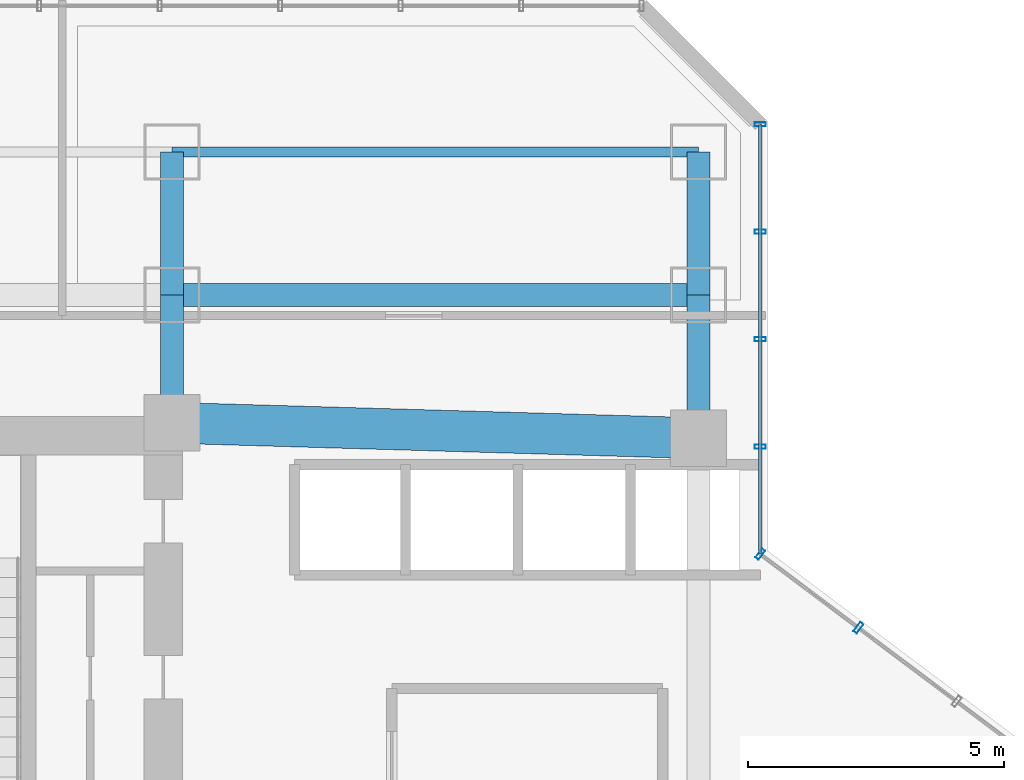
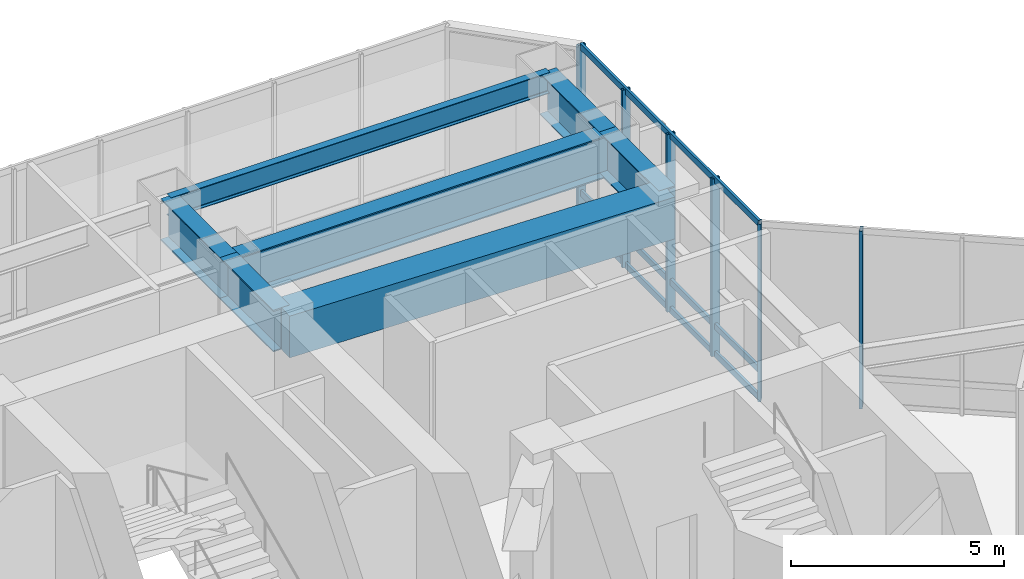
# One storey, part 20 of 35: 9 members, 7 beams, 2 elements without a shape of their own.
"""IFC4 building model written with IfcOpenShell, lengths in metres."""

import ifcopenshell
import ifcopenshell.guid

model = None  # the IFC model being written
_history = None  # IfcOwnerHistory: only IFC2X3 demands one
_inside = {}  # id of a spatial element -> (the spatial element, [elements in it])
_under = {}  # id of a project, library or spatial element -> (it, [spatial elements below it])
_declared = {}  # id of a project -> (the project, [libraries it declares])
_typed = {}  # id of a type object -> (the type object, [elements of that type])
_made_of = {}  # id of a material, layer set ... -> (it, [elements and type objects made of it])


def new_model(schema):
    """Start an empty IFC model of exactly this schema.

    Asked for "IFC4X3", IfcOpenShell would pick the latest addendum, in which some entities
    have other attributes; the version numbers below select the first issue.
    IFC2X3 requires an IfcOwnerHistory on every rooted entity: one is made here for all.
    """
    global model, _history
    if schema == "IFC4X3":
        model = ifcopenshell.file(schema_version=(4, 3, 0, 0))
    else:
        model = ifcopenshell.file(schema=schema)
    _inside.clear()
    _under.clear()
    _declared.clear()
    _typed.clear()
    _made_of.clear()
    _history = None
    if model.schema == "IFC2X3":
        org = make("IfcOrganization", Name="unknown")
        user = make(
            "IfcPersonAndOrganization",
            ThePerson=make("IfcPerson", FamilyName="unknown"),
            TheOrganization=org,
        )
        app = make(
            "IfcApplication",
            ApplicationDeveloper=org,
            Version="unknown",
            ApplicationFullName="unknown",
            ApplicationIdentifier="unknown",
        )
        _history = make(
            "IfcOwnerHistory",
            OwningUser=user,
            OwningApplication=app,
            ChangeAction="ADDED",
            CreationDate=0,
        )
    return model


def make(cls, **values):
    """One entity of the class cls with the attributes given. An attribute that is None is left unset."""
    return model.create_entity(
        cls, **{name: value for name, value in values.items() if value is not None}
    )


def rooted(cls, **values):
    """An entity with a GlobalId (a new one), such as an element, a storey or a relation."""
    return make(cls, GlobalId=ifcopenshell.guid.new(), OwnerHistory=_history, **values)


def si_unit(unit_type, name, prefix=None):
    """IfcSIUnit, for example si_unit("LENGTHUNIT", "METRE", prefix="MILLI")."""
    return make("IfcSIUnit", UnitType=unit_type, Prefix=prefix, Name=name)


def assignment(units):
    """IfcUnitAssignment: the units of a project."""
    return None if units is None else make("IfcUnitAssignment", Units=units)


def point(xyz):
    """IfcCartesianPoint."""
    return None if xyz is None else make("IfcCartesianPoint", Coordinates=xyz)


def direction(xyz):
    """IfcDirection."""
    return None if xyz is None else make("IfcDirection", DirectionRatios=xyz)


def frame(location, z_axis=None, x_axis=None):
    """IfcAxis2Placement3D, a coordinate frame: its origin and axes. An axis left out is left unset."""
    return make(
        "IfcAxis2Placement3D",
        Location=point(location),
        Axis=direction(z_axis),
        RefDirection=direction(x_axis),
    )


def frame_2d(location, x_axis=None):
    """IfcAxis2Placement2D, a coordinate frame in the plane: its origin and x axis."""
    return make(
        "IfcAxis2Placement2D", Location=point(location), RefDirection=direction(x_axis)
    )


def origin():
    """The frame at (0, 0, 0) with its axes left unset."""
    return frame((0.0, 0.0, 0.0))


def origin_2d():
    """The frame at (0, 0) in the plane with its x axis left unset."""
    return frame_2d((0.0, 0.0))


def place(relative_to, where):
    """IfcLocalPlacement: puts the frame where relative to a parent placement (None: the world)."""
    return make(
        "IfcLocalPlacement", PlacementRelTo=relative_to, RelativePlacement=where
    )


def context(
    kind, dimensions, precision=None, world=None, true_north=None, identifier=None
):
    """IfcGeometricRepresentationContext, for example the 3D "Model" context."""
    return make(
        "IfcGeometricRepresentationContext",
        ContextIdentifier=identifier,
        ContextType=kind,
        CoordinateSpaceDimension=dimensions,
        Precision=precision,
        WorldCoordinateSystem=world,
        TrueNorth=true_north,
    )


def subcontext(parent, identifier, kind, view, scale=None):
    """IfcGeometricRepresentationSubContext, for example "Body" below "Model"."""
    return make(
        "IfcGeometricRepresentationSubContext",
        ContextIdentifier=identifier,
        ContextType=kind,
        ParentContext=parent,
        TargetScale=scale,
        TargetView=view,
    )


def project(units=None, contexts=None):
    """IfcProject with its units and contexts."""
    return rooted(
        "IfcProject",
        Name="project",
        RepresentationContexts=contexts,
        UnitsInContext=assignment(units),
    )


def spatial(cls, under=None, at=None, **own):
    """A site, building, storey or space (cls), placed at a placement, below another one or the project."""
    s = rooted(cls, ObjectPlacement=at, **own)
    if under is not None:
        _under.setdefault(under.id(), (under, []))[1].append(s)
    return s


def profile(cls, at=None, kind="AREA", **sizes):
    """A parametric profile (cls). Its sizes go by their IFC names, for example OverallWidth=200.0."""
    return make(cls, ProfileType=kind, Position=at, **sizes)


def rectangle(**sizes):
    """IfcRectangleProfileDef."""
    return profile("IfcRectangleProfileDef", **sizes)


def hollow_rectangle(**sizes):
    """IfcRectangleHollowProfileDef."""
    return profile("IfcRectangleHollowProfileDef", **sizes)


def i_section(**sizes):
    """IfcIShapeProfileDef."""
    return profile("IfcIShapeProfileDef", **sizes)


def extrude(swept, where, along, depth):
    """IfcExtrudedAreaSolid: the profile swept, set in the frame where, extruded along a direction by depth."""
    return make(
        "IfcExtrudedAreaSolid",
        SweptArea=swept,
        Position=where,
        ExtrudedDirection=direction(along),
        Depth=depth,
    )


def shape(context_of_items, identifier, shape_type, items):
    """IfcShapeRepresentation: the items that make up one representation, for example the "Body"."""
    return make(
        "IfcShapeRepresentation",
        ContextOfItems=context_of_items,
        RepresentationIdentifier=identifier,
        RepresentationType=shape_type,
        Items=items,
    )


def material(Name=None, Category=None):
    """IfcMaterial."""
    return make("IfcMaterial", Name=Name, Category=Category)


def layer(
    of_material, thickness, ventilated=None, Name=None, Category=None, Priority=None
):
    """IfcMaterialLayer: one layer of a wall or slab, of a material (None: an air gap)."""
    return make(
        "IfcMaterialLayer",
        Material=of_material,
        LayerThickness=thickness,
        IsVentilated=ventilated,
        Name=Name,
        Category=Category,
        Priority=Priority,
    )


def layer_set(layers, Name=None):
    """IfcMaterialLayerSet."""
    return make("IfcMaterialLayerSet", MaterialLayers=layers, LayerSetName=Name)


def material_profile(
    of_material, cross_section, Name=None, Category=None, Priority=None
):
    """IfcMaterialProfile: a cross section and its material."""
    return make(
        "IfcMaterialProfile",
        Name=Name,
        Material=of_material,
        Profile=cross_section,
        Priority=Priority,
        Category=Category,
    )


def profile_set(profiles, Name=None, composite=None):
    """IfcMaterialProfileSet."""
    return make(
        "IfcMaterialProfileSet",
        Name=Name,
        MaterialProfiles=profiles,
        CompositeProfile=composite,
    )


def made_of(thing, what):
    """Note that an element or type object is made of a material, layer set ...; save() writes the relation."""
    if what is not None:
        _made_of.setdefault(what.id(), (what, []))[1].append(thing)
    return thing


def type_object(cls, material=None, **own):
    """A type object (cls), such as IfcWallType, which elements share."""
    return made_of(rooted(cls, **own), material)


def element(
    cls,
    number,
    at=None,
    inside=None,
    cuts=None,
    type_object=None,
    material=None,
    context=None,
    identifier="Body",
    shape_type=None,
    held_by="IfcProductDefinitionShape",
    body=None,
    shapes=None,
    **own,
):
    """One element of the class cls, such as IfcWall. Its Tag is "e" and its number.

    at: its placement. inside: the storey or other place that contains it. cuts: it is an
    opening in that element (IfcRelVoidsElement). A single representation is given by context,
    identifier, shape_type and body (its items); several are given by shapes. held_by: the class
    of the entity that holds the representations. save() writes the other relations.
    """
    e = rooted(cls, Tag="e%d" % number, ObjectPlacement=at, **own)
    if body is not None:
        shapes = [shape(context, identifier, shape_type, body)]
    if shapes is not None:
        e.Representation = make(held_by, Representations=shapes)
    if inside is not None:
        _inside.setdefault(inside.id(), (inside, []))[1].append(e)
    if cuts is not None:
        rooted(
            "IfcRelVoidsElement", RelatingBuildingElement=cuts, RelatedOpeningElement=e
        )
    if type_object is not None:
        _typed.setdefault(type_object.id(), (type_object, []))[1].append(e)
    return made_of(e, material)


def aggregate(whole, parts):
    """IfcRelAggregates: a whole, such as a stair, and the parts it consists of."""
    return rooted("IfcRelAggregates", RelatingObject=whole, RelatedObjects=parts)


def save(model, path):
    """Write the relations noted so far, then the file.

    IfcRelAggregates (storeys below a building ...), IfcRelContainedInSpatialStructure (elements
    in a storey), IfcRelDefinesByType, IfcRelAssociatesMaterial and IfcRelDeclares: one each for
    every whole, place, type object, material and project.
    """
    for whole, parts in _under.values():
        aggregate(whole, parts)
    for where, things in _inside.values():
        rooted(
            "IfcRelContainedInSpatialStructure",
            RelatedElements=things,
            RelatingStructure=where,
        )
    for kind, things in _typed.values():
        rooted("IfcRelDefinesByType", RelatedObjects=things, RelatingType=kind)
    for what, things in _made_of.values():
        rooted("IfcRelAssociatesMaterial", RelatedObjects=things, RelatingMaterial=what)
    for by, libraries in _declared.values():
        rooted("IfcRelDeclares", RelatingContext=by, RelatedDefinitions=libraries)
    model.write(path)


model = new_model("IFC4")

# Units and contexts
model_context = context("Model", 3, precision=1e-05, world=origin(), true_north=direction((0.0, 1.0)))
body_context = subcontext(model_context, "Body", "Model", "MODEL_VIEW")
ifc_project = project(units=[si_unit("LENGTHUNIT", "METRE"), si_unit("AREAUNIT", "SQUARE_METRE"), si_unit("VOLUMEUNIT", "CUBIC_METRE"), si_unit("PLANEANGLEUNIT", "RADIAN"), si_unit("MASSUNIT", "GRAM", prefix="KILO")], contexts=[model_context])

# Site, building, storey
site_placement = place(None, origin())
site = spatial("IfcSite", under=ifc_project, at=site_placement, CompositionType="ELEMENT")
building_placement = place(site_placement, origin())
building = spatial("IfcBuilding", under=site, at=building_placement, Name="Hatsunagi Terrace Concourse", CompositionType="ELEMENT")
storey_placement = place(building_placement, frame((0.0, 0.0, 16.199951171875)))
storey = spatial("IfcBuildingStorey", under=building, at=storey_placement, Name="L04", CompositionType="ELEMENT", Elevation=16.199951171875)

# Beam
ifc_material_1 = material(Name="Concrete Fc60", Category="concrete")
ifc_material_profile_1 = material_profile(ifc_material_1, rectangle(XDim=0.800048828125, YDim=1.199951171875, at=origin_2d()), Name="RC-800x1200")
ifc_profile_set_1 = profile_set([ifc_material_profile_1], Name="Concrete Fc60")
beam_type_1 = type_object("IfcBeamType", Name="CoreCouplingBeam_RC_800x1200", PredefinedType="BEAM", material=ifc_profile_set_1)
beam_1_placement = place(storey_placement, frame((33.35009765625, 43.300048828125, 4.5), z_axis=(0.999575947545, -0.029119153303, 0.0), x_axis=(0.029119153303, 0.999575947545, 0.0)))
element("IfcBeam", 1, at=beam_1_placement, inside=storey, type_object=beam_type_1, Name="Beam CB-01 CB-L04-2", PredefinedType="BEAM", context=body_context, shape_type="SweptSolid", body=[
    extrude(rectangle(XDim=0.800048828125, YDim=1.199951171875, at=origin_2d()), origin(), (0.0, 0.0, 1.0), 10.30419921875),
])

# Curtain wall, members
ifc_material_2 = material(Name="Anodised Aluminium Alloy 6063-T5", Category="aluminium")
ifc_layer = layer(ifc_material_2, 0.199951171875)
ifc_layer_set = layer_set([ifc_layer], Name="PodiumStorefront_CW01")
curtain_wall_type = type_object("IfcCurtainWallType", Name="PodiumStorefront_CW01", PredefinedType="NOTDEFINED", material=ifc_layer_set)
curtain_wall_1_placement = place(storey_placement, origin())
curtain_wall_1 = element("IfcCurtainWall", 2, at=curtain_wall_1_placement, inside=storey, type_object=curtain_wall_type, Name="Unitised Curtain Wall CW-01 CW-L04-01", PredefinedType="NOTDEFINED")
ifc_material_3 = material(Name="Anodised Aluminium Alloy 6063-T5", Category="aluminium")
ifc_material_profile_2 = material_profile(ifc_material_3, hollow_rectangle(XDim=0.080078125, YDim=0.219970703125, WallThickness=0.0048828125, at=origin_2d()), Name="ALU-MUL-220x80x5")
ifc_profile_set_2 = profile_set([ifc_material_profile_2], Name="Anodised Aluminium Alloy 6063-T5")
member_type_1 = type_object("IfcMemberType", Name="CurtainWallMullion_Heavy_220x80", PredefinedType="MULLION", material=ifc_profile_set_2)
member_1_placement = place(storey_placement, frame((44.860107421875, 40.72998046875, 0.0), z_axis=(0.0, 0.0, 1.0), x_axis=(0.800007305671, -0.599990258982, 0.0)))
member_1 = element("IfcMember", 3, at=member_1_placement, type_object=member_type_1, Name="Curtain Wall Mullion MUL-01", PredefinedType="MULLION", context=body_context, shape_type="SweptSolid", body=[
    extrude(hollow_rectangle(XDim=0.080078125, YDim=0.219970703125, WallThickness=0.0048828125, at=origin_2d()), origin(), (0.0, 0.0, 1.0), 5.10009765625),
])
member_2_placement = place(storey_placement, frame((46.781005859375, 39.2890625, 0.0), z_axis=(0.0, 0.0, 1.0), x_axis=(0.800007305671, -0.599990258982, 0.0)))
member_2 = element("IfcMember", 4, at=member_2_placement, type_object=member_type_1, Name="Curtain Wall Mullion MUL-01", PredefinedType="MULLION", context=body_context, shape_type="SweptSolid", body=[
    extrude(hollow_rectangle(XDim=0.080078125, YDim=0.219970703125, WallThickness=0.0048828125, at=origin_2d()), origin(), (0.0, 0.0, 1.0), 5.10009765625),
])
aggregate(curtain_wall_1, [member_1, member_2])

curtain_wall_2_placement = place(storey_placement, origin())
curtain_wall_2 = element("IfcCurtainWall", 5, at=curtain_wall_2_placement, inside=storey, type_object=curtain_wall_type, Name="Unitised Curtain Wall CW-01 CW-L04-14", PredefinedType="NOTDEFINED")
member_3_placement = place(storey_placement, frame((44.860107421875, 49.14208984375, 0.0), z_axis=(0.0, 0.0, 1.0), x_axis=(0.0, -1.0, 0.0)))
member_3 = element("IfcMember", 6, at=member_3_placement, type_object=member_type_1, Name="Curtain Wall Mullion MUL-01", PredefinedType="MULLION", context=body_context, shape_type="SweptSolid", body=[
    extrude(hollow_rectangle(XDim=0.080078125, YDim=0.219970703125, WallThickness=0.0048828125, at=origin_2d()), origin(), (0.0, 0.0, 1.0), 5.10009765625),
])
member_4_placement = place(storey_placement, frame((44.860107421875, 47.0390625, 0.0), z_axis=(0.0, 0.0, 1.0), x_axis=(0.0, -1.0, 0.0)))
member_4 = element("IfcMember", 7, at=member_4_placement, type_object=member_type_1, Name="Curtain Wall Mullion MUL-01", PredefinedType="MULLION", context=body_context, shape_type="SweptSolid", body=[
    extrude(hollow_rectangle(XDim=0.080078125, YDim=0.219970703125, WallThickness=0.0048828125, at=origin_2d()), origin(), (0.0, 0.0, 1.0), 5.10009765625),
])
member_5_placement = place(storey_placement, frame((44.860107421875, 44.93603515625, 0.0), z_axis=(0.0, 0.0, 1.0), x_axis=(0.0, -1.0, 0.0)))
member_5 = element("IfcMember", 8, at=member_5_placement, type_object=member_type_1, Name="Curtain Wall Mullion MUL-01", PredefinedType="MULLION", context=body_context, shape_type="SweptSolid", body=[
    extrude(hollow_rectangle(XDim=0.080078125, YDim=0.219970703125, WallThickness=0.0048828125, at=origin_2d()), origin(), (0.0, 0.0, 1.0), 5.10009765625),
])
member_6_placement = place(storey_placement, frame((44.860107421875, 42.8330078125, 0.0), z_axis=(0.0, 0.0, 1.0), x_axis=(0.0, -1.0, 0.0)))
member_6 = element("IfcMember", 9, at=member_6_placement, type_object=member_type_1, Name="Curtain Wall Mullion MUL-01", PredefinedType="MULLION", context=body_context, shape_type="SweptSolid", body=[
    extrude(hollow_rectangle(XDim=0.080078125, YDim=0.219970703125, WallThickness=0.0048828125, at=origin_2d()), origin(), (0.0, 0.0, 1.0), 5.10009765625),
])
ifc_material_4 = material(Name="Anodised Aluminium Alloy 6063-T5", Category="aluminium")
ifc_material_profile_3 = material_profile(ifc_material_4, hollow_rectangle(XDim=0.070068359375, YDim=0.179931640625, WallThickness=0.00390625, at=origin_2d()), Name="ALU-TRN-180x70x4")
ifc_profile_set_3 = profile_set([ifc_material_profile_3], Name="Anodised Aluminium Alloy 6063-T5")
member_type_2 = type_object("IfcMemberType", Name="CurtainWallTransom_Heavy_180x70", PredefinedType="USERDEFINED", material=ifc_profile_set_3)
member_7_placement = place(storey_placement, frame((44.860107421875, 49.14208984375, 0.050048828125), z_axis=(0.0, -1.0, 0.0), x_axis=(1.0, 0.0, 0.0)))
member_7 = element("IfcMember", 10, at=member_7_placement, type_object=member_type_2, Name="Curtain Wall Transom TRN-01", ObjectType="TRANSOM", PredefinedType="USERDEFINED", context=body_context, shape_type="SweptSolid", body=[
    extrude(hollow_rectangle(XDim=0.070068359375, YDim=0.179931640625, WallThickness=0.00390625, at=origin_2d()), origin(), (0.0, 0.0, 1.0), 8.412109375),
])
member_8_placement = place(storey_placement, frame((44.860107421875, 49.14208984375, 0.85009765625), z_axis=(0.0, -1.0, 0.0), x_axis=(1.0, 0.0, 0.0)))
member_8 = element("IfcMember", 11, at=member_8_placement, type_object=member_type_2, Name="Curtain Wall Transom TRN-01", ObjectType="TRANSOM", PredefinedType="USERDEFINED", context=body_context, shape_type="SweptSolid", body=[
    extrude(hollow_rectangle(XDim=0.070068359375, YDim=0.179931640625, WallThickness=0.00390625, at=origin_2d()), origin(), (0.0, 0.0, 1.0), 8.412109375),
])
member_9_placement = place(storey_placement, frame((44.860107421875, 49.14208984375, 5.050048828125), z_axis=(0.0, -1.0, 0.0), x_axis=(1.0, 0.0, 0.0)))
member_9 = element("IfcMember", 12, at=member_9_placement, type_object=member_type_2, Name="Curtain Wall Transom TRN-01", ObjectType="TRANSOM", PredefinedType="USERDEFINED", context=body_context, shape_type="SweptSolid", body=[
    extrude(hollow_rectangle(XDim=0.070068359375, YDim=0.179931640625, WallThickness=0.00390625, at=origin_2d()), origin(), (0.0, 0.0, 1.0), 8.412109375),
])
aggregate(curtain_wall_2, [member_3, member_4, member_5, member_6, member_7, member_8, member_9])

# Beams
ifc_material_5 = material(Name="Steel SN490B", Category="steel")
ifc_material_profile_4 = material_profile(ifc_material_5, i_section(OverallWidth=0.199951171875, OverallDepth=0.60009765625, WebThickness=0.010986328125, FlangeThickness=0.01708984375, FilletRadius=0.01806640625, at=origin_2d()), Name="H-600x200x11x17")
ifc_profile_set_4 = profile_set([ifc_material_profile_4], Name="Steel SN490B")
beam_type_2 = type_object("IfcBeamType", Name="PerimeterSpandrel_H_600x200", PredefinedType="SPANDREL", material=ifc_profile_set_4)
beam_2_placement = place(storey_placement, frame((33.35009765625, 48.60009765625, 4.800048828125), z_axis=(1.0, 0.0, 0.0), x_axis=(0.0, 1.0, 0.0)))
element("IfcBeam", 13, at=beam_2_placement, inside=storey, type_object=beam_type_2, Name="Beam SP-01 BM-L04-WN-33", PredefinedType="SPANDREL", context=body_context, shape_type="SweptSolid", body=[
    extrude(i_section(OverallWidth=0.199951171875, OverallDepth=0.60009765625, WebThickness=0.010986328125, FlangeThickness=0.01708984375, FilletRadius=0.01806640625, at=origin_2d()), origin(), (0.0, 0.0, 1.0), 10.2998046875),
])
ifc_material_6 = material(Name="Steel SN490B", Category="steel")
ifc_material_profile_5 = material_profile(ifc_material_6, i_section(OverallWidth=0.449951171875, OverallDepth=1.199951171875, WebThickness=0.02490234375, FlangeThickness=0.035888671875, at=origin_2d()), Name="BH-1200x450x25x36")
ifc_profile_set_5 = profile_set([ifc_material_profile_5], Name="Steel SN490B")
beam_type_3 = type_object("IfcBeamType", Name="PodiumHallGirder_BH_1200x450x25x36", PredefinedType="BEAM", material=ifc_profile_set_5)
beam_3_placement = place(storey_placement, frame((33.35009765625, 43.300048828125, 4.5), z_axis=(0.0, 1.0, 0.0), x_axis=(-1.0, 0.0, 0.0)))
element("IfcBeam", 14, at=beam_3_placement, inside=storey, type_object=beam_type_3, Name="Beam G-01 BM-L04-CN2", PredefinedType="BEAM", context=body_context, shape_type="SweptSolid", body=[
    extrude(i_section(OverallWidth=0.449951171875, OverallDepth=1.199951171875, WebThickness=0.02490234375, FlangeThickness=0.035888671875, at=origin_2d()), origin(), (0.0, 0.0, 1.0), 2.5),
])
beam_4_placement = place(storey_placement, frame((43.64990234375, 43.0, 4.5), z_axis=(0.0, 1.0, 0.0), x_axis=(-1.0, 0.0, 0.0)))
element("IfcBeam", 15, at=beam_4_placement, inside=storey, type_object=beam_type_3, Name="Beam G-01 BM-L04-CN3", PredefinedType="BEAM", context=body_context, shape_type="SweptSolid", body=[
    extrude(i_section(OverallWidth=0.449951171875, OverallDepth=1.199951171875, WebThickness=0.02490234375, FlangeThickness=0.035888671875, at=origin_2d()), origin(), (0.0, 0.0, 1.0), 2.800048828125),
])
beam_5_placement = place(storey_placement, frame((33.35009765625, 45.800048828125, 4.5), z_axis=(1.0, 0.0, 0.0), x_axis=(0.0, 1.0, 0.0)))
element("IfcBeam", 16, at=beam_5_placement, inside=storey, type_object=beam_type_3, Name="Beam G-01 BM-L04-CNEW2", PredefinedType="BEAM", context=body_context, shape_type="SweptSolid", body=[
    extrude(i_section(OverallWidth=0.449951171875, OverallDepth=1.199951171875, WebThickness=0.02490234375, FlangeThickness=0.035888671875, at=origin_2d()), origin(), (0.0, 0.0, 1.0), 10.2998046875),
])
for number, where, z_axis, x_axis, name in (
    (17, (33.35009765625, 45.800048828125, 4.5), (0.0, 1.0, 0.0), (-1.0, 0.0, 0.0), "Beam G-01 BM-L04-KN-WN5"),
    (18, (43.64990234375, 45.800048828125, 4.5), (0.0, 1.0, 0.0), (-1.0, 0.0, 0.0), "Beam G-01 BM-L04-KN-WN6"),
):
    element("IfcBeam", number, at=place(storey_placement, frame(where, z_axis=z_axis, x_axis=x_axis)), inside=storey, type_object=beam_type_3, Name=name, PredefinedType="BEAM", context=body_context, shape_type="SweptSolid", body=[
        extrude(i_section(OverallWidth=0.449951171875, OverallDepth=1.199951171875, WebThickness=0.02490234375, FlangeThickness=0.035888671875, at=origin_2d()), origin(), (0.0, 0.0, 1.0), 2.800048828125),
    ])

save(model, "model.ifc")
